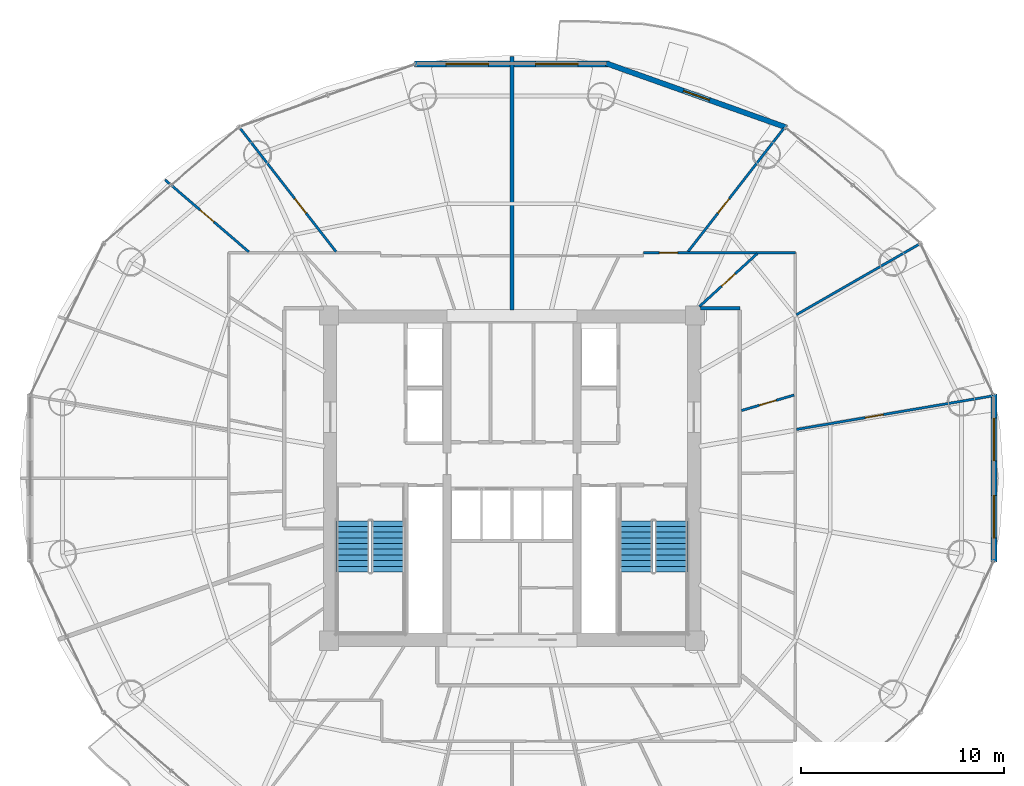
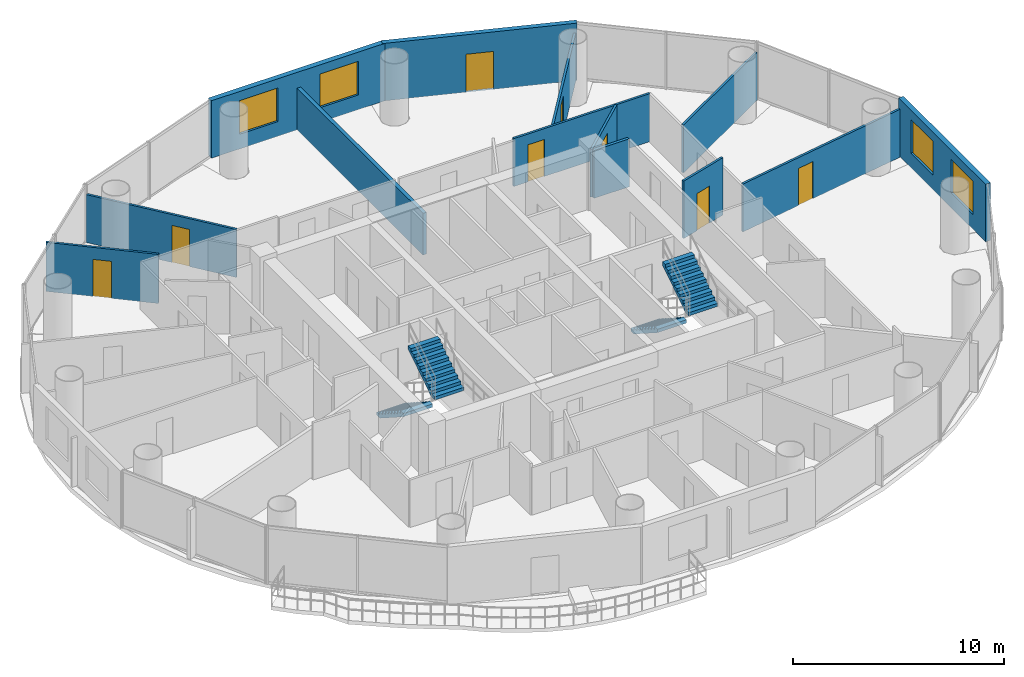
# One storey, part 24 of 27: 13 walls, 8 doors, 4 stair flights, 4 windows, 12 openings, 2 elements without a shape of their own.
"""IFC4 building model written with IfcOpenShell, lengths in metres."""

from ifc_helpers import new_model, si_unit, direction, frame, frame_2d, origin, place, context, subcontext, project, spatial, polyline, rectangle, outline, extrude, source, transform, mapped, material, layer, layer_set, type_object, element, fill, aggregate, save


model = new_model("IFC4")

# Units and contexts
model_context = context("Model", 3, precision=1e-05, world=origin(), true_north=direction((-0.2419218956, 0.970295726276)))
body_context = subcontext(model_context, "Body", "Model", "MODEL_VIEW")
ifc_project = project(units=[si_unit("LENGTHUNIT", "METRE"), si_unit("AREAUNIT", "SQUARE_METRE"), si_unit("VOLUMEUNIT", "CUBIC_METRE"), si_unit("PLANEANGLEUNIT", "RADIAN"), si_unit("MASSUNIT", "GRAM", prefix="KILO")], contexts=[model_context])

# Site, building, storey
site_placement = place(None, origin())
site = spatial("IfcSite", under=ifc_project, at=site_placement, CompositionType="ELEMENT")
building_placement = place(site_placement, origin())
building = spatial("IfcBuilding", under=site, at=building_placement, Name="Cobrevalo Terracotta Tower", CompositionType="ELEMENT")
storey_placement = place(building_placement, frame((0.0, 0.0, 146.199951171875)))
storey = spatial("IfcBuildingStorey", under=building, at=storey_placement, Name="L38", CompositionType="ELEMENT", Elevation=146.199951171875)

# Walls
ifc_material_1 = material(Name="Gypsum board on steel stud", Category="steel")
ifc_layer_1 = layer(ifc_material_1, 0.159912109375)
ifc_layer_set_1 = layer_set([ifc_layer_1], Name="Gypsum board on steel stud")
wall_type_1 = type_object("IfcWallType", Name="Fire-rated corridor acoustic partition wall 160 mm", PredefinedType="PARTITIONING", material=ifc_layer_set_1)
wall_1_placement = place(storey_placement, frame((47.27490234375, 35.155029296875, 0.0), z_axis=(0.0, 0.0, 1.0), x_axis=(1.0, 0.0, 0.0)))
element("IfcWall", 1, at=wall_1_placement, inside=storey, type_object=wall_type_1, Name="L38 interior partition IW-L38-COR-EN-CAP", PredefinedType="PARTITIONING", context=body_context, shape_type="SweptSolid", body=[
    extrude(rectangle(XDim=1.93017578125, YDim=0.159912109375, at=frame_2d((0.965087890625, 0.0))), origin(), (0.0, 0.0, 1.0), 2.776123046875),
])
ifc_material_2 = material(Name="Autoclaved aerated concrete block", Category="concrete")
ifc_layer_2 = layer(ifc_material_2, 0.199951171875)
ifc_layer_set_2 = layer_set([ifc_layer_2], Name="Autoclaved aerated concrete block")
wall_type_2 = type_object("IfcWallType", Name="Fire-rated stair, shaft & demising masonry wall 200 mm", PredefinedType="PARTITIONING", material=ifc_layer_set_2)
wall_2_placement = place(storey_placement, frame((38.0, 35.074951171875, 0.0), z_axis=(0.0, 0.0, 1.0), x_axis=(0.0, 1.0, 0.0)))
element("IfcWall", 2, at=wall_2_placement, inside=storey, type_object=wall_type_2, Name="L38 interior partition IW-L38-DEM-1", PredefinedType="PARTITIONING", context=body_context, shape_type="SweptSolid", body=[
    extrude(rectangle(XDim=12.465087890625, YDim=0.199951171875, at=frame_2d((6.232421875, 0.0))), origin(), (0.0, 0.0, 1.0), 2.4150390625),
])

# Wall, openings, windows
ifc_layer_3 = layer(ifc_material_2, 0.280029296875)
ifc_layer_set_3 = layer_set([ifc_layer_3], Name="Autoclaved aerated concrete block")
wall_type_3 = type_object("IfcWallType", Name="Insulated tower spandrel & pier wall 280 mm with terracotta rainscreen", PredefinedType="SOLIDWALL", material=ifc_layer_set_3)
wall_3_placement = place(storey_placement, frame((42.79541015625, 47.1708984375, 0.0), z_axis=(0.0, 0.0, 1.0), x_axis=(-1.0, 0.0, 0.0)))
wall_3 = element("IfcWall", 3, at=wall_3_placement, inside=storey, type_object=wall_type_3, Name="L38 terracotta rainscreen pier wall S04", PredefinedType="SOLIDWALL", context=body_context, shape_type="SweptSolid", body=[
    extrude(rectangle(XDim=9.5908203125, YDim=0.280029296875, at=frame_2d((4.79541015625, 0.0))), origin(), (0.0, 0.0, 1.0), 3.330078125),
])
opening_1_placement = place(wall_3_placement, frame((1.53955078125, 0.0, 0.85009765625)))
opening_1 = element("IfcOpeningElement", 4, at=opening_1_placement, cuts=wall_3, Name="Opening WN-10", PredefinedType="OPENING", context=body_context, shape_type="SweptSolid", body=[
    extrude(rectangle(XDim=2.10009765625, YDim=1.949951171875, at=frame_2d((1.050048828125, 0.97509765625))), frame((0.0, 0.14990234375, 0.0), z_axis=(0.0, -1.0, 0.0), x_axis=(1.0, 0.0, 0.0)), (0.0, 0.0, 1.0), 0.300048828125),
])
opening_2_placement = place(wall_3_placement, frame((5.951171875, 0.0, 0.85009765625)))
opening_2 = element("IfcOpeningElement", 5, at=opening_2_placement, cuts=wall_3, Name="Opening WN-10", PredefinedType="OPENING", context=body_context, shape_type="SweptSolid", body=[
    extrude(rectangle(XDim=2.10009765625, YDim=1.949951171875, at=frame_2d((1.050048828125, 0.97509765625))), frame((0.0, 0.14990234375, 0.0), z_axis=(0.0, -1.0, 0.0), x_axis=(1.0, 0.0, 0.0)), (0.0, 0.0, 1.0), 0.300048828125),
])
ifc_material_3 = material(Name="Solar-control low-E double glazing", Category="glass")
window_type = type_object("IfcWindowType", Name="Wide panoramic low-E aluminium window 2100x1950", PartitioningType="SINGLE_PANEL", PredefinedType="WINDOW", material=ifc_material_3)
shared_shape_1 = source(origin(), body_context, "Body", "SweptSolid", [
    extrude(rectangle(XDim=2.10009765625, YDim=1.949951171875, at=frame_2d((1.050048828125, 0.97509765625))), frame((0.0, 0.030029296875, 0.0), z_axis=(0.0, -1.0, 0.0), x_axis=(1.0, 0.0, 0.0)), (0.0, 0.0, 1.0), 0.06005859375),
])
window_1_placement = place(opening_1_placement, origin())
window_1 = element("IfcWindow", 6, at=window_1_placement, inside=storey, type_object=window_type, Name="L38 suite window S04A", OverallHeight=1.949951171875, OverallWidth=2.10009765625, PartitioningType="SINGLE_PANEL", PredefinedType="WINDOW", context=body_context, shape_type="MappedRepresentation", body=[
    mapped(shared_shape_1, transform((0.0, 0.0, 0.0), scale=1.0)),
])
fill(opening_1, window_1)
window_2_placement = place(opening_2_placement, origin())
window_2 = element("IfcWindow", 7, at=window_2_placement, inside=storey, type_object=window_type, Name="L38 suite window S04B", OverallHeight=1.949951171875, OverallWidth=2.10009765625, PartitioningType="SINGLE_PANEL", PredefinedType="WINDOW", context=body_context, shape_type="MappedRepresentation", body=[
    mapped(shared_shape_1, transform((0.0, 0.0, 0.0), scale=1.0)),
])
fill(opening_2, window_2)

wall_4_placement = place(storey_placement, frame((61.70556640625, 22.66796875, 0.0), z_axis=(0.0, 0.0, 1.0), x_axis=(0.0, 1.0, 0.0)))
wall_4 = element("IfcWall", 8, at=wall_4_placement, inside=storey, type_object=wall_type_3, Name="L38 terracotta rainscreen pier wall S16", PredefinedType="SOLIDWALL", context=body_context, shape_type="SweptSolid", body=[
    extrude(rectangle(XDim=8.26416015625, YDim=0.280029296875, at=frame_2d((4.132080078125, 0.0))), origin(), (0.0, 0.0, 1.0), 3.330078125),
])
opening_3_placement = place(wall_4_placement, frame((1.181396484375, 0.0, 0.85009765625)))
opening_3 = element("IfcOpeningElement", 9, at=opening_3_placement, cuts=wall_4, Name="Opening WN-10", PredefinedType="OPENING", context=body_context, shape_type="SweptSolid", body=[
    extrude(rectangle(XDim=2.10009765625, YDim=1.949951171875, at=frame_2d((1.050048828125, 0.97509765625))), frame((0.0, 0.14990234375, 0.0), z_axis=(0.0, -1.0, 0.0), x_axis=(1.0, 0.0, 0.0)), (0.0, 0.0, 1.0), 0.300048828125),
])
opening_4_placement = place(wall_4_placement, frame((4.98291015625, 0.0, 0.85009765625)))
opening_4 = element("IfcOpeningElement", 10, at=opening_4_placement, cuts=wall_4, Name="Opening WN-10", PredefinedType="OPENING", context=body_context, shape_type="SweptSolid", body=[
    extrude(rectangle(XDim=2.10009765625, YDim=1.949951171875, at=frame_2d((1.050048828125, 0.97509765625))), frame((0.0, 0.14990234375, 0.0), z_axis=(0.0, -1.0, 0.0), x_axis=(1.0, 0.0, 0.0)), (0.0, 0.0, 1.0), 0.300048828125),
])
window_3_placement = place(opening_3_placement, origin())
window_3 = element("IfcWindow", 11, at=window_3_placement, inside=storey, type_object=window_type, Name="L38 suite window S16A", OverallHeight=1.949951171875, OverallWidth=2.10009765625, PartitioningType="SINGLE_PANEL", PredefinedType="WINDOW", context=body_context, shape_type="MappedRepresentation", body=[
    mapped(shared_shape_1, transform((0.0, 0.0, 0.0), scale=1.0)),
])
fill(opening_3, window_3)
window_4_placement = place(opening_4_placement, origin())
window_4 = element("IfcWindow", 12, at=window_4_placement, inside=storey, type_object=window_type, Name="L38 suite window S16B", OverallHeight=1.949951171875, OverallWidth=2.10009765625, PartitioningType="SINGLE_PANEL", PredefinedType="WINDOW", context=body_context, shape_type="MappedRepresentation", body=[
    mapped(shared_shape_1, transform((0.0, 0.0, 0.0), scale=1.0)),
])
fill(opening_4, window_4)

# Wall, opening, door
ifc_layer_4 = layer(ifc_material_2, 0.260009765625)
ifc_layer_set_4 = layer_set([ifc_layer_4], Name="Autoclaved aerated concrete block")
wall_type_4 = type_object("IfcWallType", Name="Recessed balcony loggia insulated exterior wall 260 mm", PredefinedType="SOLIDWALL", material=ifc_layer_set_4)
wall_5_placement = place(storey_placement, frame((51.50341796875, 44.042724609375, 0.0), z_axis=(0.0, 0.0, 1.0), x_axis=(-0.942095406405, 0.335344964522, 0.0)))
wall_5 = element("IfcWall", 13, at=wall_5_placement, inside=storey, type_object=wall_type_4, Name="L38 balcony loggia wall S03", PredefinedType="SOLIDWALL", context=body_context, shape_type="SweptSolid", body=[
    extrude(rectangle(XDim=9.408203125, YDim=0.260009765625, at=frame_2d((4.7041015625, 0.0))), origin(), (0.0, 0.0, 1.0), 3.330078125),
])
opening_5_placement = place(wall_5_placement, frame((4.029052734375, 0.0, 0.0)))
opening_5 = element("IfcOpeningElement", 14, at=opening_5_placement, cuts=wall_5, Name="Opening ED-05", PredefinedType="OPENING", context=body_context, shape_type="SweptSolid", body=[
    extrude(rectangle(XDim=1.35009765625, YDim=2.199951171875, at=frame_2d((0.675048828125, 1.10009765625))), frame((0.0, 0.14013671875, 0.0), z_axis=(0.0, -1.0, 0.0), x_axis=(1.0, 0.0, 0.0)), (0.0, 0.0, 1.0), 0.280029296875),
])
ifc_material_4 = material(Name="Anodized aluminium and laminated glass", Category="aluminium")
door_type_1 = type_object("IfcDoorType", Name="Suite balcony acoustic glazed terrace door 1350x2200", OperationType="NOTDEFINED", PredefinedType="DOOR", material=ifc_material_4)
shared_shape_2 = source(origin(), body_context, "Body", "SweptSolid", [
    extrude(rectangle(XDim=1.35009765625, YDim=2.199951171875, at=frame_2d((0.675048828125, 1.10009765625))), frame((0.0, 0.02490234375, 0.0), z_axis=(0.0, -1.0, 0.0), x_axis=(1.0, 0.0, 0.0)), (0.0, 0.0, 1.0), 0.050048828125),
])
door_1_placement = place(opening_5_placement, frame((1.35009765625, 0.0, 0.0), z_axis=(0.0, 0.0, 1.0), x_axis=(-1.0, 0.0, 0.0)))
door_1 = element("IfcDoor", 15, at=door_1_placement, inside=storey, type_object=door_type_1, Name="L38 glazed balcony terrace door 1", OperationType="SINGLE_SWING_LEFT", OverallHeight=2.199951171875, OverallWidth=1.35009765625, PredefinedType="DOOR", context=body_context, shape_type="MappedRepresentation", body=[
    mapped(shared_shape_2, transform((0.0, 0.0, 0.0), scale=1.0)),
])
fill(opening_5, door_1)

ifc_layer_5 = layer(ifc_material_1, 0.1201171875)
ifc_layer_set_5 = layer_set([ifc_layer_5], Name="Gypsum board on steel stud")
wall_type_5 = type_object("IfcWallType", Name="Residential internal acoustic stud partition 120 mm", PredefinedType="PARTITIONING", material=ifc_layer_set_5)
wall_6_placement = place(storey_placement, frame((29.344482421875, 37.933837890625, 0.0), z_axis=(0.0, 0.0, 1.0), x_axis=(-0.613758289074, 0.789493991487, 0.0)))
wall_6 = element("IfcWall", 16, at=wall_6_placement, inside=storey, type_object=wall_type_5, Name="L38 interior partition IW-L38-U1-ORAD1", PredefinedType="PARTITIONING", context=body_context, shape_type="SweptSolid", body=[
    extrude(rectangle(XDim=7.695068359375, YDim=0.1201171875, at=frame_2d((3.84765625, 0.0))), origin(), (0.0, 0.0, 1.0), 2.776123046875),
])
opening_6_placement = place(wall_6_placement, frame((2.399169921875, 0.0, 0.0)))
opening_6 = element("IfcOpeningElement", 17, at=opening_6_placement, cuts=wall_6, Name="Opening ID-12", PredefinedType="OPENING", context=body_context, shape_type="SweptSolid", body=[
    extrude(rectangle(XDim=0.89990234375, YDim=2.14990234375, at=frame_2d((0.449951171875, 1.074951171875))), frame((0.0, 0.070068359375, 0.0), z_axis=(0.0, -1.0, 0.0), x_axis=(1.0, 0.0, 0.0)), (0.0, 0.0, 1.0), 0.14013671875),
])
ifc_material_5 = material(Name="Engineered timber", Category="wood")
door_type_2 = type_object("IfcDoorType", Name="Internal residence & suite timber door 900x2150", OperationType="NOTDEFINED", PredefinedType="DOOR", material=ifc_material_5)
shared_shape_3 = source(origin(), body_context, "Body", "SweptSolid", [
    extrude(rectangle(XDim=0.89990234375, YDim=2.14990234375, at=frame_2d((0.449951171875, 1.074951171875))), frame((0.0, 0.02490234375, 0.0), z_axis=(0.0, -1.0, 0.0), x_axis=(1.0, 0.0, 0.0)), (0.0, 0.0, 1.0), 0.050048828125),
])
door_2_placement = place(opening_6_placement, frame((0.89990234375, 0.0, 0.0), z_axis=(0.0, 0.0, 1.0), x_axis=(-1.0, 0.0, 0.0)))
door_2 = element("IfcDoor", 18, at=door_2_placement, inside=storey, type_object=door_type_2, Name="Flat L38A Penthouse Living and Dining Room internal door", OperationType="SINGLE_SWING_RIGHT", OverallHeight=2.14990234375, OverallWidth=0.89990234375, PredefinedType="DOOR", context=body_context, shape_type="MappedRepresentation", body=[
    mapped(shared_shape_3, transform((0.0, 0.0, 0.0), scale=1.0)),
])
fill(opening_6, door_2)

wall_7_placement = place(storey_placement, frame((25.055908203125, 37.92529296875, 0.0), z_axis=(0.0, 0.0, 1.0), x_axis=(-0.758354915574, 0.65184186888, 0.0)))
wall_7 = element("IfcWall", 19, at=wall_7_placement, inside=storey, type_object=wall_type_5, Name="L38 interior partition IW-L38-U1-ORAD2M1", PredefinedType="PARTITIONING", context=body_context, shape_type="SweptSolid", body=[
    extrude(rectangle(XDim=5.432373046875, YDim=0.1201171875, at=frame_2d((2.71630859375, 0.0))), origin(), (0.0, 0.0, 1.0), 2.845947265625),
])
opening_7_placement = place(wall_7_placement, frame((2.26611328125, 0.0, 0.0)))
opening_7 = element("IfcOpeningElement", 20, at=opening_7_placement, cuts=wall_7, Name="Opening ID-12", PredefinedType="OPENING", context=body_context, shape_type="SweptSolid", body=[
    extrude(rectangle(XDim=0.89990234375, YDim=2.14990234375, at=frame_2d((0.449951171875, 1.074951171875))), frame((0.0, 0.070068359375, 0.0), z_axis=(0.0, -1.0, 0.0), x_axis=(1.0, 0.0, 0.0)), (0.0, 0.0, 1.0), 0.14013671875),
])
door_3_placement = place(opening_7_placement, frame((0.89990234375, 0.0, 0.0), z_axis=(0.0, 0.0, 1.0), x_axis=(-1.0, 0.0, 0.0)))
door_3 = element("IfcDoor", 21, at=door_3_placement, inside=storey, type_object=door_type_2, Name="Flat L38A Master Bedroom internal door", OperationType="SINGLE_SWING_LEFT", OverallHeight=2.14990234375, OverallWidth=0.89990234375, PredefinedType="DOOR", context=body_context, shape_type="MappedRepresentation", body=[
    mapped(shared_shape_3, transform((0.0, 0.0, 0.0), scale=1.0)),
])
fill(opening_7, door_3)

wall_8_placement = place(storey_placement, frame((44.465087890625, 37.885009765625, 0.0), z_axis=(0.0, 0.0, 1.0), x_axis=(1.0, 0.0, 0.0)))
wall_8 = element("IfcWall", 22, at=wall_8_placement, inside=storey, type_object=wall_type_5, Name="L38 interior partition IW-L38-U3-RING2_0", PredefinedType="PARTITIONING", context=body_context, shape_type="SweptSolid", body=[
    extrude(rectangle(XDim=7.469970703125, YDim=0.1201171875, at=frame_2d((3.73486328125, 0.0))), origin(), (0.0, 0.0, 1.0), 2.776123046875),
])
opening_8_placement = place(wall_8_placement, frame((0.7783203125, 0.0, 0.0)))
opening_8 = element("IfcOpeningElement", 23, at=opening_8_placement, cuts=wall_8, Name="Opening ID-12", PredefinedType="OPENING", context=body_context, shape_type="SweptSolid", body=[
    extrude(rectangle(XDim=0.89990234375, YDim=2.14990234375, at=frame_2d((0.449951171875, 1.074951171875))), frame((0.0, 0.070068359375, 0.0), z_axis=(0.0, -1.0, 0.0), x_axis=(1.0, 0.0, 0.0)), (0.0, 0.0, 1.0), 0.14013671875),
])
door_4_placement = place(opening_8_placement, origin())
door_4 = element("IfcDoor", 24, at=door_4_placement, inside=storey, type_object=door_type_2, Name="Flat L38C Penthouse Family Lounge internal door", OperationType="SINGLE_SWING_RIGHT", OverallHeight=2.14990234375, OverallWidth=0.89990234375, PredefinedType="DOOR", context=body_context, shape_type="MappedRepresentation", body=[
    mapped(shared_shape_3, transform((0.0, 0.0, 0.0), scale=1.0)),
])
fill(opening_8, door_4)

wall_9_placement = place(storey_placement, frame((51.99609375, 29.19287109375, 0.0), z_axis=(0.0, 0.0, 1.0), x_axis=(0.985698378271, 0.168519159369, 0.0)))
wall_9 = element("IfcWall", 25, at=wall_9_placement, inside=storey, type_object=wall_type_5, Name="L38 interior partition IW-L38-U3-ORAD1", PredefinedType="PARTITIONING", context=body_context, shape_type="SweptSolid", body=[
    extrude(rectangle(XDim=9.768798828125, YDim=0.1201171875, at=frame_2d((4.88427734375, 0.0))), origin(), (0.0, 0.0, 1.0), 2.776123046875),
])
opening_9_placement = place(wall_9_placement, frame((3.427734375, 0.0, 0.0)))
opening_9 = element("IfcOpeningElement", 26, at=opening_9_placement, cuts=wall_9, Name="Opening ID-12", PredefinedType="OPENING", context=body_context, shape_type="SweptSolid", body=[
    extrude(rectangle(XDim=0.89990234375, YDim=2.14990234375, at=frame_2d((0.449951171875, 1.074951171875))), frame((0.0, 0.070068359375, 0.0), z_axis=(0.0, -1.0, 0.0), x_axis=(1.0, 0.0, 0.0)), (0.0, 0.0, 1.0), 0.14013671875),
])
door_5_placement = place(opening_9_placement, frame((0.89990234375, 0.0, 0.0), z_axis=(0.0, 0.0, 1.0), x_axis=(-1.0, 0.0, 0.0)))
door_5 = element("IfcDoor", 27, at=door_5_placement, inside=storey, type_object=door_type_2, Name="Flat L38C Penthouse Living and Dining Room internal door", OperationType="SINGLE_SWING_RIGHT", OverallHeight=2.14990234375, OverallWidth=0.89990234375, PredefinedType="DOOR", context=body_context, shape_type="MappedRepresentation", body=[
    mapped(shared_shape_3, transform((0.0, 0.0, 0.0), scale=1.0)),
])
fill(opening_9, door_5)

# Wall
wall_10_placement = place(storey_placement, frame((51.98876953125, 34.833740234375, 0.0), z_axis=(0.0, 0.0, 1.0), x_axis=(0.86717064002, 0.498011125466, 0.0)))
element("IfcWall", 28, at=wall_10_placement, inside=storey, type_object=wall_type_5, Name="L38 interior partition IW-L38-U3-ORAD2M1", PredefinedType="PARTITIONING", context=body_context, shape_type="SweptSolid", body=[
    extrude(rectangle(XDim=6.961181640625, YDim=0.1201171875, at=frame_2d((3.48046875, 0.0))), origin(), (0.0, 0.0, 1.0), 2.776123046875),
])

# Wall, opening, door
wall_11_placement = place(storey_placement, frame((46.655517578125, 37.933837890625, 0.0), z_axis=(0.0, 0.0, 1.0), x_axis=(0.613758289074, 0.789493991487, 0.0)))
wall_11 = element("IfcWall", 29, at=wall_11_placement, inside=storey, type_object=wall_type_5, Name="L38 interior partition IW-L38-U3-ORAD2", PredefinedType="PARTITIONING", context=body_context, shape_type="SweptSolid", body=[
    extrude(rectangle(XDim=7.695068359375, YDim=0.1201171875, at=frame_2d((3.84765625, 0.0))), origin(), (0.0, 0.0, 1.0), 2.776123046875),
])
opening_10_placement = place(wall_11_placement, frame((2.394775390625, 0.0, 0.0)))
opening_10 = element("IfcOpeningElement", 30, at=opening_10_placement, cuts=wall_11, Name="Opening ID-12", PredefinedType="OPENING", context=body_context, shape_type="SweptSolid", body=[
    extrude(rectangle(XDim=0.89990234375, YDim=2.14990234375, at=frame_2d((0.449951171875, 1.074951171875))), frame((0.0, 0.070068359375, 0.0), z_axis=(0.0, -1.0, 0.0), x_axis=(1.0, 0.0, 0.0)), (0.0, 0.0, 1.0), 0.14013671875),
])
door_6_placement = place(opening_10_placement, frame((0.89990234375, 0.0, 0.0), z_axis=(0.0, 0.0, 1.0), x_axis=(-1.0, 0.0, 0.0)))
door_6 = element("IfcDoor", 31, at=door_6_placement, inside=storey, type_object=door_type_2, Name="Flat L38C Principal Guest Bedroom internal door", OperationType="SINGLE_SWING_LEFT", OverallHeight=2.14990234375, OverallWidth=0.89990234375, PredefinedType="DOOR", context=body_context, shape_type="MappedRepresentation", body=[
    mapped(shared_shape_3, transform((0.0, 0.0, 0.0), scale=1.0)),
])
fill(opening_10, door_6)

wall_12_placement = place(storey_placement, frame((49.286865234375, 30.121337890625, 0.0), z_axis=(0.0, 0.0, 1.0), x_axis=(0.959304970846, 0.282372046969, 0.0)))
wall_12 = element("IfcWall", 32, at=wall_12_placement, inside=storey, type_object=wall_type_5, Name="L38 interior partition IW-L38-U3-IRAD3", PredefinedType="PARTITIONING", context=body_context, shape_type="SweptSolid", body=[
    extrude(rectangle(XDim=2.698486328125, YDim=0.1201171875, at=frame_2d((1.34912109375, 0.0))), origin(), (0.0, 0.0, 1.0), 3.330078125),
])
opening_11_placement = place(wall_12_placement, frame((0.919189453125, 0.0, 0.0)))
opening_11 = element("IfcOpeningElement", 33, at=opening_11_placement, cuts=wall_12, Name="Opening ID-19", PredefinedType="OPENING", context=body_context, shape_type="SweptSolid", body=[
    extrude(rectangle(XDim=0.860107421875, YDim=2.14990234375, at=frame_2d((0.43017578125, 1.074951171875))), frame((0.0, 0.070068359375, 0.0), z_axis=(0.0, -1.0, 0.0), x_axis=(1.0, 0.0, 0.0)), (0.0, 0.0, 1.0), 0.14013671875),
])
ifc_material_6 = material(Name="Moisture-sealed timber", Category="wood")
door_type_3 = type_object("IfcDoorType", Name="Suite bathroom internal timber door 860x2150", OperationType="NOTDEFINED", PredefinedType="DOOR", material=ifc_material_6)
shared_shape_4 = source(origin(), body_context, "Body", "SweptSolid", [
    extrude(rectangle(XDim=0.860107421875, YDim=2.14990234375, at=frame_2d((0.43017578125, 1.074951171875))), frame((0.0, 0.02490234375, 0.0), z_axis=(0.0, -1.0, 0.0), x_axis=(1.0, 0.0, 0.0)), (0.0, 0.0, 1.0), 0.050048828125),
])
door_7_placement = place(opening_11_placement, frame((0.860107421875, 0.0, 0.0), z_axis=(0.0, 0.0, 1.0), x_axis=(-1.0, 0.0, 0.0)))
door_7 = element("IfcDoor", 34, at=door_7_placement, inside=storey, type_object=door_type_3, Name="Flat L38C Primary Bathroom internal door", OperationType="SINGLE_SWING_RIGHT", OverallHeight=2.14990234375, OverallWidth=0.860107421875, PredefinedType="DOOR", context=body_context, shape_type="MappedRepresentation", body=[
    mapped(shared_shape_4, transform((0.0, 0.0, 0.0), scale=1.0)),
])
fill(opening_11, door_7)

wall_13_placement = place(storey_placement, frame((47.2158203125, 35.235107421875, 0.0), z_axis=(0.0, 0.0, 1.0), x_axis=(0.73766811085, 0.675163504816, 0.0)))
wall_13 = element("IfcWall", 35, at=wall_13_placement, inside=storey, type_object=wall_type_5, Name="L38 interior partition IW-L38-U3-IRAD4", PredefinedType="PARTITIONING", context=body_context, shape_type="SweptSolid", body=[
    extrude(rectangle(XDim=3.863037109375, YDim=0.1201171875, at=frame_2d((1.931640625, 0.0))), origin(), (0.0, 0.0, 1.0), 2.776123046875),
])
opening_12_placement = place(wall_13_placement, frame((1.4814453125, 0.0, 0.0)))
opening_12 = element("IfcOpeningElement", 36, at=opening_12_placement, cuts=wall_13, Name="Opening ID-12", PredefinedType="OPENING", context=body_context, shape_type="SweptSolid", body=[
    extrude(rectangle(XDim=0.89990234375, YDim=2.14990234375, at=frame_2d((0.449951171875, 1.074951171875))), frame((0.0, 0.070068359375, 0.0), z_axis=(0.0, -1.0, 0.0), x_axis=(1.0, 0.0, 0.0)), (0.0, 0.0, 1.0), 0.14013671875),
])
door_8_placement = place(opening_12_placement, origin())
door_8 = element("IfcDoor", 37, at=door_8_placement, inside=storey, type_object=door_type_2, Name="Flat L38C Kitchen internal door", OperationType="SINGLE_SWING_LEFT", OverallHeight=2.14990234375, OverallWidth=0.89990234375, PredefinedType="DOOR", context=body_context, shape_type="MappedRepresentation", body=[
    mapped(shared_shape_3, transform((0.0, 0.0, 0.0), scale=1.0)),
])
fill(opening_12, door_8)

# Stair, stair flights
ifc_material_7 = material(Name="Concrete C50", Category="concrete")
stair_type = type_object("IfcStairType", Name="Core protected escape dogleg stair 1600", PredefinedType="HALF_TURN_STAIR", material=ifc_material_7)
stair_1_placement = place(storey_placement, origin())
stair_1 = element("IfcStair", 38, at=stair_1_placement, inside=storey, type_object=stair_type, Name="L38 Protected exit stair ST-1", PredefinedType="HALF_TURN_STAIR")
stair_flight_type = type_object("IfcStairFlightType", Name="Core protected escape dogleg stair 1600 flight", PredefinedType="STRAIGHT", material=ifc_material_7)
stair_flight_1_placement = place(storey_placement, frame((30.175048828125, 24.699951171875, 0.0), z_axis=(0.0, 0.0, 1.0), x_axis=(0.0, -1.0, 0.0)))
stair_flight_1 = element("IfcStairFlight", 39, at=stair_flight_1_placement, type_object=stair_flight_type, Name="ST-1 flight 1", NumberOfRisers=10, NumberOfTreads=9, PredefinedType="STRAIGHT", RiserHeight=0.18, TreadLength=0.28, context=body_context, shape_type="SweptSolid", body=[
    extrude(outline(polyline([(0.0, 0.0), (0.0, 0.179931640625), (0.280029296875, 0.179931640625), (0.280029296875, 0.360107421875), (0.56005859375, 0.360107421875), (0.56005859375, 0.5400390625), (0.840087890625, 0.5400390625), (0.840087890625, 0.719970703125), (1.1201171875, 0.719970703125), (1.1201171875, 0.89990234375), (1.39990234375, 0.89990234375), (1.39990234375, 1.080078125), (1.679931640625, 1.080078125), (1.679931640625, 1.260009765625), (1.9599609375, 1.260009765625), (1.9599609375, 1.43994140625), (2.239990234375, 1.43994140625), (2.239990234375, 1.6201171875), (2.52001953125, 1.6201171875), (2.52001953125, 1.800048828125), (2.52001953125, 1.429931640625), (0.295654296875, 0.0), (0.0, 0.0)])), frame((0.0, 0.800048828125, 0.0), z_axis=(0.0, -1.0, 0.0), x_axis=(1.0, 0.0, 0.0)), (0.0, 0.0, 1.0), 1.60009765625),
])
stair_flight_2_placement = place(storey_placement, frame((31.89501953125, 22.179931640625, 1.800048828125), z_axis=(0.0, 0.0, 1.0), x_axis=(0.0, 1.0, 0.0)))
stair_flight_2 = element("IfcStairFlight", 40, at=stair_flight_2_placement, type_object=stair_flight_type, Name="ST-1 flight 2", NumberOfRisers=10, NumberOfTreads=9, PredefinedType="STRAIGHT", RiserHeight=0.18, TreadLength=0.28, context=body_context, shape_type="SweptSolid", body=[
    extrude(outline(polyline([(0.0, 0.0), (0.0, 0.179931640625), (0.280029296875, 0.179931640625), (0.280029296875, 0.360107421875), (0.56005859375, 0.360107421875), (0.56005859375, 0.5400390625), (0.840087890625, 0.5400390625), (0.840087890625, 0.719970703125), (1.1201171875, 0.719970703125), (1.1201171875, 0.89990234375), (1.39990234375, 0.89990234375), (1.39990234375, 1.080078125), (1.679931640625, 1.080078125), (1.679931640625, 1.260009765625), (1.9599609375, 1.260009765625), (1.9599609375, 1.43994140625), (2.239990234375, 1.43994140625), (2.239990234375, 1.6201171875), (2.52001953125, 1.6201171875), (2.52001953125, 1.800048828125), (2.52001953125, 1.429931640625), (0.295654296875, 0.0), (0.0, 0.0)])), frame((0.0, 0.800048828125, 0.0), z_axis=(0.0, -1.0, 0.0), x_axis=(1.0, 0.0, 0.0)), (0.0, 0.0, 1.0), 1.60009765625),
])
aggregate(stair_1, [stair_flight_1, stair_flight_2])

stair_2_placement = place(storey_placement, origin())
stair_2 = element("IfcStair", 41, at=stair_2_placement, inside=storey, type_object=stair_type, Name="L38 Protected exit stair ST-2", PredefinedType="HALF_TURN_STAIR")
stair_flight_3_placement = place(storey_placement, frame((44.10498046875, 24.699951171875, 0.0), z_axis=(0.0, 0.0, 1.0), x_axis=(0.0, -1.0, 0.0)))
stair_flight_3 = element("IfcStairFlight", 42, at=stair_flight_3_placement, type_object=stair_flight_type, Name="ST-2 flight 1", NumberOfRisers=10, NumberOfTreads=9, PredefinedType="STRAIGHT", RiserHeight=0.18, TreadLength=0.28, context=body_context, shape_type="SweptSolid", body=[
    extrude(outline(polyline([(0.0, 0.0), (0.0, 0.179931640625), (0.280029296875, 0.179931640625), (0.280029296875, 0.360107421875), (0.56005859375, 0.360107421875), (0.56005859375, 0.5400390625), (0.840087890625, 0.5400390625), (0.840087890625, 0.719970703125), (1.1201171875, 0.719970703125), (1.1201171875, 0.89990234375), (1.39990234375, 0.89990234375), (1.39990234375, 1.080078125), (1.679931640625, 1.080078125), (1.679931640625, 1.260009765625), (1.9599609375, 1.260009765625), (1.9599609375, 1.43994140625), (2.239990234375, 1.43994140625), (2.239990234375, 1.6201171875), (2.52001953125, 1.6201171875), (2.52001953125, 1.800048828125), (2.52001953125, 1.429931640625), (0.295654296875, 0.0), (0.0, 0.0)])), frame((0.0, 0.800048828125, 0.0), z_axis=(0.0, -1.0, 0.0), x_axis=(1.0, 0.0, 0.0)), (0.0, 0.0, 1.0), 1.60009765625),
])
stair_flight_4_placement = place(storey_placement, frame((45.824951171875, 22.179931640625, 1.800048828125), z_axis=(0.0, 0.0, 1.0), x_axis=(0.0, 1.0, 0.0)))
stair_flight_4 = element("IfcStairFlight", 43, at=stair_flight_4_placement, type_object=stair_flight_type, Name="ST-2 flight 2", NumberOfRisers=10, NumberOfTreads=9, PredefinedType="STRAIGHT", RiserHeight=0.18, TreadLength=0.28, context=body_context, shape_type="SweptSolid", body=[
    extrude(outline(polyline([(0.0, 0.0), (0.0, 0.179931640625), (0.280029296875, 0.179931640625), (0.280029296875, 0.360107421875), (0.56005859375, 0.360107421875), (0.56005859375, 0.5400390625), (0.840087890625, 0.5400390625), (0.840087890625, 0.719970703125), (1.1201171875, 0.719970703125), (1.1201171875, 0.89990234375), (1.39990234375, 0.89990234375), (1.39990234375, 1.080078125), (1.679931640625, 1.080078125), (1.679931640625, 1.260009765625), (1.9599609375, 1.260009765625), (1.9599609375, 1.43994140625), (2.239990234375, 1.43994140625), (2.239990234375, 1.6201171875), (2.52001953125, 1.6201171875), (2.52001953125, 1.800048828125), (2.52001953125, 1.429931640625), (0.295654296875, 0.0), (0.0, 0.0)])), frame((0.0, 0.800048828125, 0.0), z_axis=(0.0, -1.0, 0.0), x_axis=(1.0, 0.0, 0.0)), (0.0, 0.0, 1.0), 1.60009765625),
])
aggregate(stair_2, [stair_flight_3, stair_flight_4])

save(model, "model.ifc")
